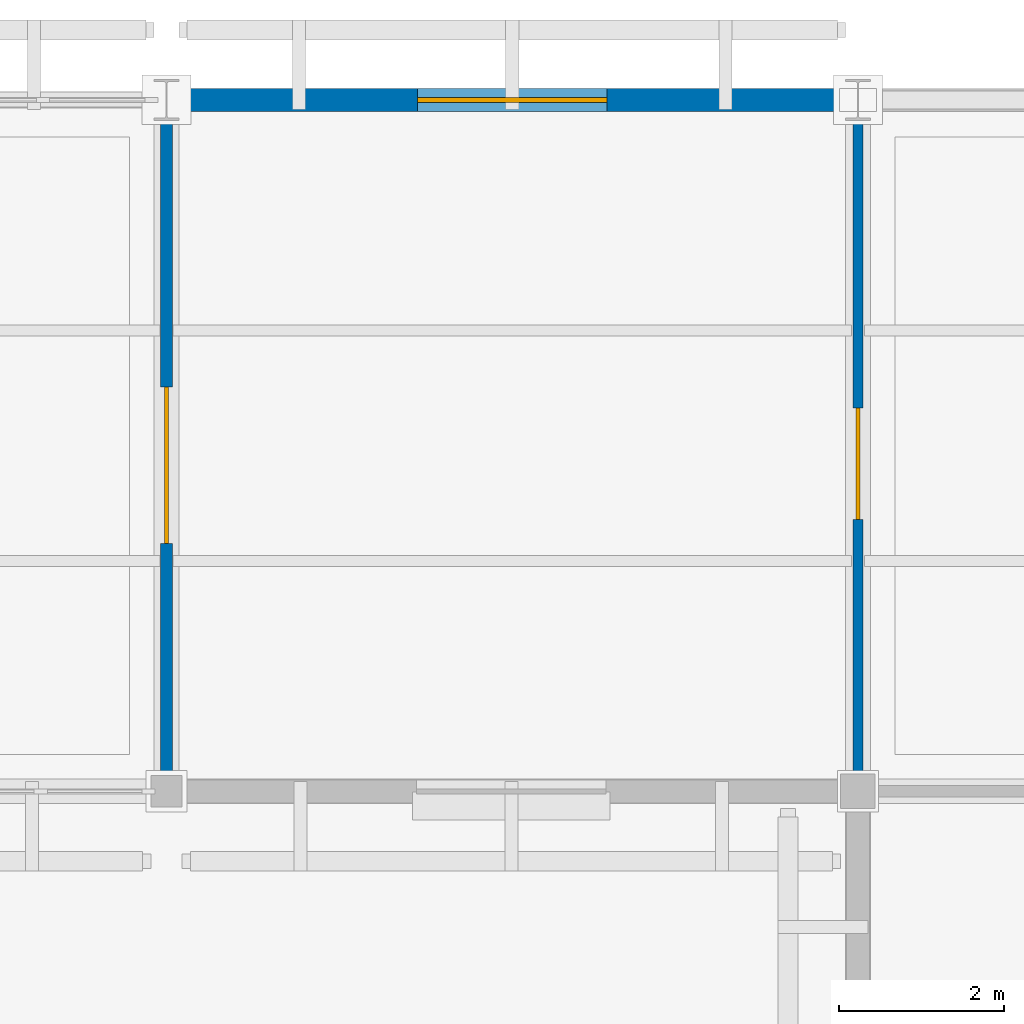
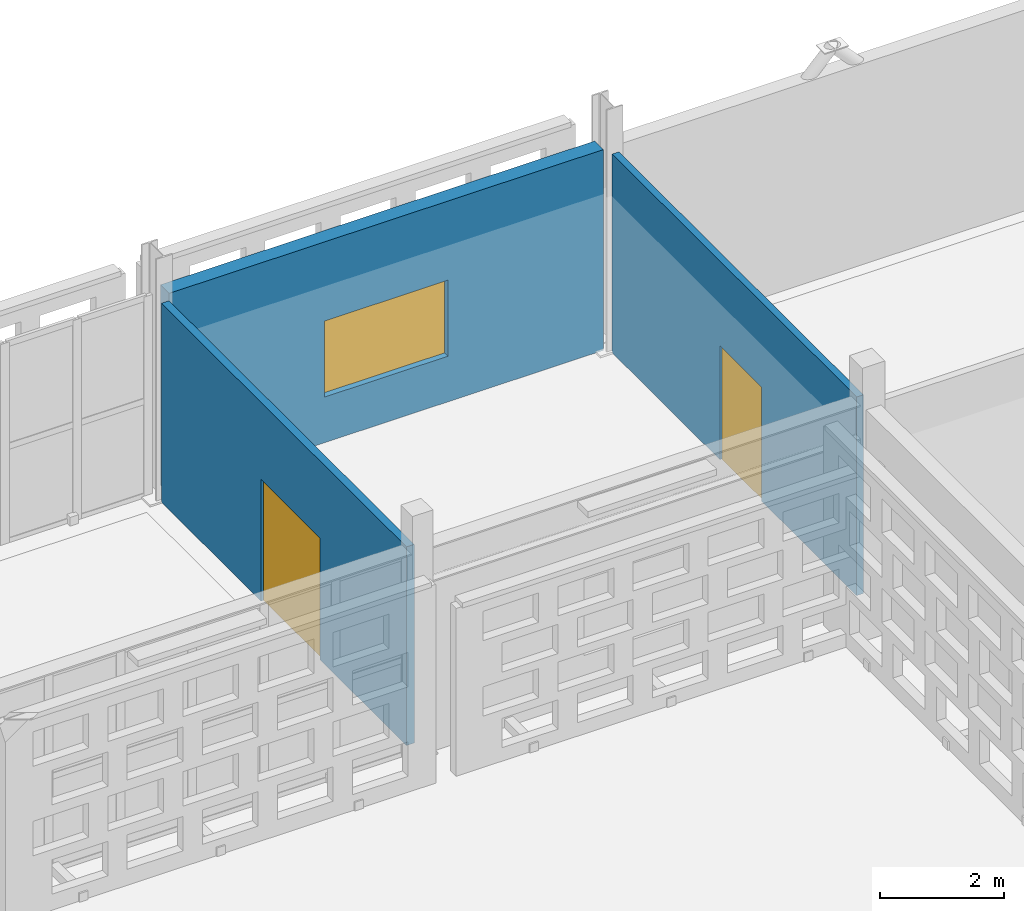
# One storey, part 123 of 203: 3 walls, 2 doors, 1 window, 3 openings.
"""IFC4 building model written with IfcOpenShell, lengths in metres."""

from ifc_helpers import new_model, si_unit, direction, frame, frame_2d, origin, place, context, subcontext, project, spatial, rectangle, extrude, material, layer, layer_set, type_object, element, fill, save


model = new_model("IFC4")

# Units and contexts
model_context = context("Model", 3, precision=1e-05, world=origin(), true_north=direction((0.0, 1.0)))
body_context = subcontext(model_context, "Body", "Model", "MODEL_VIEW")
ifc_project = project(units=[si_unit("LENGTHUNIT", "METRE"), si_unit("AREAUNIT", "SQUARE_METRE"), si_unit("VOLUMEUNIT", "CUBIC_METRE"), si_unit("PLANEANGLEUNIT", "RADIAN"), si_unit("MASSUNIT", "GRAM", prefix="KILO")], contexts=[model_context])

# Site, building, storey
site_placement = place(None, origin())
site = spatial("IfcSite", under=ifc_project, at=site_placement, CompositionType="ELEMENT")
building_placement = place(site_placement, origin())
building = spatial("IfcBuilding", under=site, at=building_placement, Name="Varnapada Polytechnic", CompositionType="ELEMENT")
storey_placement = place(building_placement, frame((0.0, 0.0, 4.800048828125)))
storey = spatial("IfcBuildingStorey", under=building, at=storey_placement, Name="L01", CompositionType="ELEMENT", Elevation=4.800048828125)

# Wall, opening, door
ifc_material_1 = material(Name="Gypsum Plasterboard Acoustic Partition")
ifc_layer_1 = layer(ifc_material_1, 0.125)
ifc_layer_set_1 = layer_set([ifc_layer_1], Name="Gypsum Plasterboard Acoustic Partition")
wall_type_1 = type_object("IfcWallType", Name="Interior Wall IW-03", PredefinedType="PARTITIONING", material=ifc_layer_set_1)
wall_1_placement = place(storey_placement, frame((126.0, 117.830078125, 0.0), z_axis=(0.0, 0.0, 1.0), x_axis=(0.0, 1.0, 0.0)))
wall_1 = element("IfcWall", 1, at=wall_1_placement, inside=storey, type_object=wall_type_1, Name="L01 interior partition IW-L01-14-14-V", PredefinedType="PARTITIONING", context=body_context, shape_type="SweptSolid", body=[
    extrude(rectangle(XDim=7.89990234375, YDim=0.125, at=frame_2d((3.949951171875, 0.0))), origin(), (0.0, 0.0, 1.0), 3.919921875),
])
opening_1_placement = place(wall_1_placement, frame((3.074951171875, 0.0, 0.0)))
opening_1 = element("IfcOpeningElement", 2, at=opening_1_placement, cuts=wall_1, Name="Opening D-1035", PredefinedType="OPENING", context=body_context, shape_type="SweptSolid", body=[
    extrude(rectangle(XDim=1.35009765625, YDim=2.25, at=frame_2d((0.675048828125, 1.125))), frame((0.0, 0.072509765625, 0.0), z_axis=(0.0, -1.0, 0.0), x_axis=(1.0, 0.0, 0.0)), (0.0, 0.0, 1.0), 0.14501953125),
])
ifc_material_2 = material(Name="Powder-Coated Aluminium 6063-T6", Category="aluminium")
door_type_1 = type_object("IfcDoorType", Name="Interior Door ID-17", OperationType="NOTDEFINED", PredefinedType="DOOR", material=ifc_material_2)
door_1_placement = place(opening_1_placement, origin())
door_1 = element("IfcDoor", 3, at=door_1_placement, inside=storey, type_object=door_type_1, Name="L01 interior room door D-1035", OperationType="SINGLE_SWING_RIGHT", OverallHeight=2.25, OverallWidth=1.35009765625, PredefinedType="DOOR", context=body_context, shape_type="SweptSolid", body=[
    extrude(rectangle(XDim=1.35009765625, YDim=2.25, at=frame_2d((0.675048828125, 1.125))), frame((0.0, 0.02490234375, 0.0), z_axis=(0.0, -1.0, 0.0), x_axis=(1.0, 0.0, 0.0)), (0.0, 0.0, 1.0), 0.050048828125),
])
fill(opening_1, door_1)

ifc_material_3 = material(Name="Ceramic-Tiled Wet Laboratory Wall")
ifc_layer_2 = layer(ifc_material_3, 0.14501953125)
ifc_layer_set_2 = layer_set([ifc_layer_2], Name="Ceramic-Tiled Wet Laboratory Wall")
wall_type_2 = type_object("IfcWallType", Name="Interior Wall IW-14", PredefinedType="PARTITIONING", material=ifc_layer_set_2)
wall_2_placement = place(storey_placement, frame((117.60009765625, 117.81005859375, 0.0), z_axis=(0.0, 0.0, 1.0), x_axis=(0.0, 1.0, 0.0)))
wall_2 = element("IfcWall", 4, at=wall_2_placement, inside=storey, type_object=wall_type_2, Name="L01 interior partition IW-L01-13-14-V", PredefinedType="PARTITIONING", context=body_context, shape_type="SweptSolid", body=[
    extrude(rectangle(XDim=7.919921875, YDim=0.14501953125, at=frame_2d((3.9599609375, 0.0))), origin(), (0.0, 0.0, 1.0), 3.919921875),
])
opening_2_placement = place(wall_2_placement, frame((2.800048828125, 0.0, 0.0)))
opening_2 = element("IfcOpeningElement", 5, at=opening_2_placement, cuts=wall_2, Name="Opening D-1032", PredefinedType="OPENING", context=body_context, shape_type="SweptSolid", body=[
    extrude(rectangle(XDim=1.89990234375, YDim=2.39990234375, at=frame_2d((0.949951171875, 1.199951171875))), frame((0.0, 0.08251953125, 0.0), z_axis=(0.0, -1.0, 0.0), x_axis=(1.0, 0.0, 0.0)), (0.0, 0.0, 1.0), 0.1650390625),
])
ifc_material_4 = material(Name="Heavy Workshop Double Steel Door", Category="steel")
door_type_2 = type_object("IfcDoorType", Name="Interior Door ID-14", OperationType="NOTDEFINED", PredefinedType="DOOR", material=ifc_material_4)
door_2_placement = place(opening_2_placement, origin())
door_2 = element("IfcDoor", 6, at=door_2_placement, inside=storey, type_object=door_type_2, Name="L01 interior room door D-1032", OperationType="SINGLE_SWING_LEFT", OverallHeight=2.39990234375, OverallWidth=1.89990234375, PredefinedType="DOOR", context=body_context, shape_type="SweptSolid", body=[
    extrude(rectangle(XDim=1.89990234375, YDim=2.39990234375, at=frame_2d((0.949951171875, 1.199951171875))), frame((0.0, 0.02490234375, 0.0), z_axis=(0.0, -1.0, 0.0), x_axis=(1.0, 0.0, 0.0)), (0.0, 0.0, 1.0), 0.050048828125),
])
fill(opening_2, door_2)

# Wall, opening, window
ifc_material_5 = material(Name="Precast concrete C40/50", Category="concrete")
ifc_layer_3 = layer(ifc_material_5, 0.280029296875)
ifc_layer_set_3 = layer_set([ifc_layer_3], Name="Precast concrete C40/50")
wall_type_3 = type_object("IfcWallType", Name="Wall EW-02", PredefinedType="SOLIDWALL", material=ifc_layer_set_3)
wall_3_placement = place(storey_placement, frame((117.75, 126.0, 0.0), z_axis=(0.0, 0.0, 1.0), x_axis=(1.0, 0.0, 0.0)))
wall_3 = element("IfcWall", 7, at=wall_3_placement, inside=storey, type_object=wall_type_3, Name="L01 exterior wall EW-02 (101)", PredefinedType="SOLIDWALL", context=body_context, shape_type="SweptSolid", body=[
    extrude(rectangle(XDim=8.10009765625, YDim=0.280029296875, at=frame_2d((4.050048828125, 0.0))), origin(), (0.0, 0.0, 1.0), 3.9599609375),
])
opening_3_placement = place(wall_3_placement, frame((2.89990234375, 0.0, 0.89990234375)))
opening_3 = element("IfcOpeningElement", 8, at=opening_3_placement, cuts=wall_3, Name="Opening WN-19", PredefinedType="OPENING", context=body_context, shape_type="SweptSolid", body=[
    extrude(rectangle(XDim=2.300048828125, YDim=1.5, at=frame_2d((1.14990234375, 0.75))), frame((0.0, 0.14990234375, 0.0), z_axis=(0.0, -1.0, 0.0), x_axis=(1.0, 0.0, 0.0)), (0.0, 0.0, 1.0), 0.300048828125),
])
ifc_material_6 = material(Name="Double low-E laminated glass", Category="glass")
window_type = type_object("IfcWindowType", Name="Window WN-19", PartitioningType="SINGLE_PANEL", PredefinedType="WINDOW", material=ifc_material_6)
window_placement = place(opening_3_placement, origin())
window = element("IfcWindow", 9, at=window_placement, inside=storey, type_object=window_type, Name="L01 window WN-19 (89)", OverallHeight=1.5, OverallWidth=2.300048828125, PartitioningType="SINGLE_PANEL", PredefinedType="WINDOW", context=body_context, shape_type="SweptSolid", body=[
    extrude(rectangle(XDim=2.300048828125, YDim=1.5, at=frame_2d((1.14990234375, 0.75))), frame((0.0, 0.030029296875, 0.0), z_axis=(0.0, -1.0, 0.0), x_axis=(1.0, 0.0, 0.0)), (0.0, 0.0, 1.0), 0.06005859375),
])
fill(opening_3, window)

save(model, "model.ifc")
